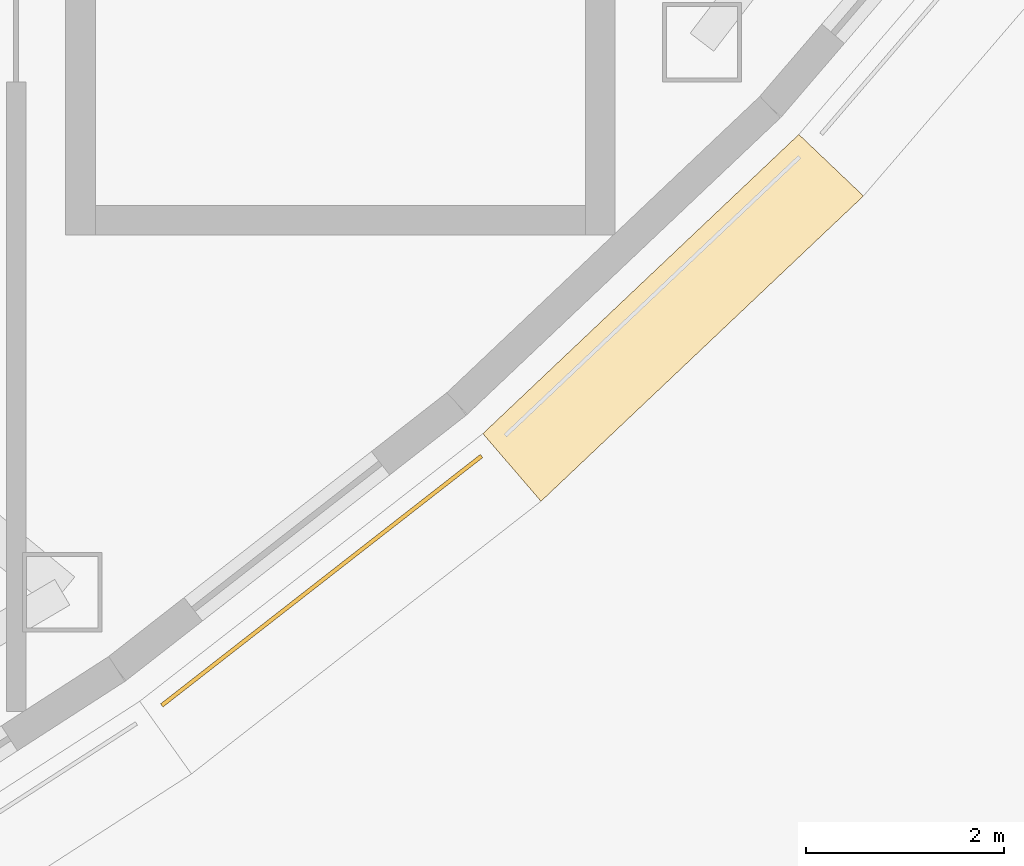
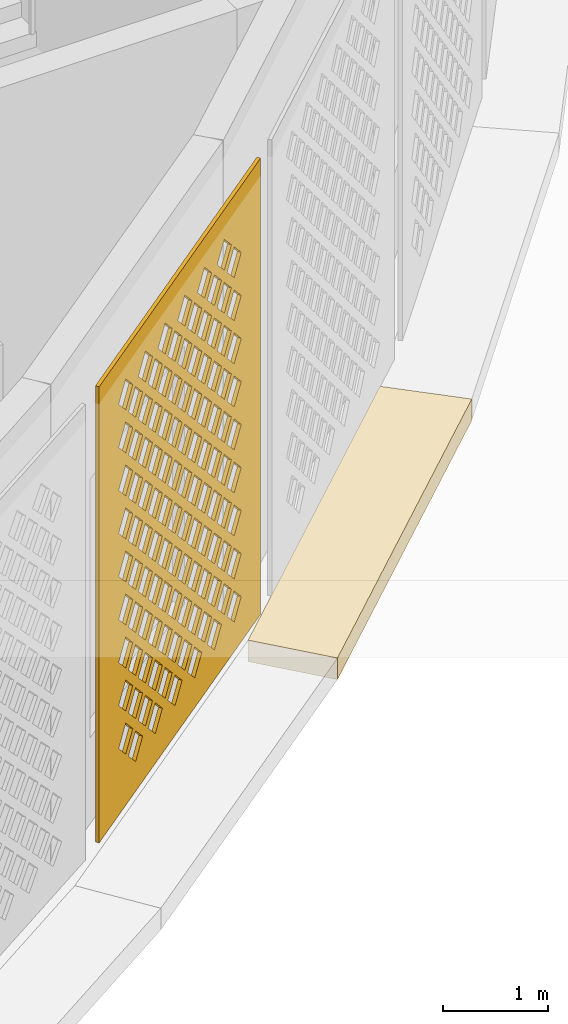
# One storey, part 68 of 74: 2 coverings.
"""IFC4 building model written with IfcOpenShell, lengths in metres."""

from ifc_helpers import new_model, si_unit, direction, frame, origin, place, context, subcontext, project, spatial, polyline, outline, extrude, material, layer, layer_set, type_object, element, save


model = new_model("IFC4")

# Units and contexts
model_context = context("Model", 3, precision=1e-05, world=origin(), true_north=direction((0.0, 1.0)))
body_context = subcontext(model_context, "Body", "Model", "MODEL_VIEW")
ifc_project = project(units=[si_unit("LENGTHUNIT", "METRE"), si_unit("AREAUNIT", "SQUARE_METRE"), si_unit("VOLUMEUNIT", "CUBIC_METRE"), si_unit("PLANEANGLEUNIT", "RADIAN"), si_unit("MASSUNIT", "GRAM", prefix="KILO")], contexts=[model_context])

# Site, building, storey
site_placement = place(None, origin())
site = spatial("IfcSite", under=ifc_project, at=site_placement, CompositionType="ELEMENT")
building_placement = place(site_placement, origin())
building = spatial("IfcBuilding", under=site, at=building_placement, Name="Noorbagh Ring Tower", CompositionType="ELEMENT")
storey_placement = place(building_placement, frame((0.0, 0.0, 7.5)))
storey = spatial("IfcBuildingStorey", under=building, at=storey_placement, Name="L01", CompositionType="ELEMENT", Elevation=7.5)

# Coverings
ifc_material_1 = material(Name="Red sandstone eave", Category="masonry")
covering_type_1 = type_object("IfcCoveringType", Name="STY-CHHAJJA", PredefinedType="USERDEFINED", material=ifc_material_1)
covering_1_placement = place(storey_placement, frame((0.0, 0.0, -0.25)))
element("IfcCovering", 1, at=covering_1_placement, inside=storey, type_object=covering_type_1, Name="Chhajja eave", ObjectType="CHHAJJA", PredefinedType="USERDEFINED", context=body_context, shape_type="SweptSolid", body=[
    extrude(outline(polyline([(38.71435546875, -26.70458984375), (41.906494140625, -23.682373046875), (42.55908203125, -24.3037109375), (39.3017578125, -27.3876953125), (38.71435546875, -26.70458984375)])), origin(), (0.0, 0.0, 1.0), 0.25),
])
ifc_material_2 = material(Name="Red sandstone jali", Category="masonry")
ifc_layer = layer(ifc_material_2, 0.0400390625)
ifc_layer_set = layer_set([ifc_layer], Name="Red sandstone jali")
covering_type_2 = type_object("IfcCoveringType", Name="STY-JALI", PredefinedType="USERDEFINED", material=ifc_layer_set)
covering_2_placement = place(storey_placement, frame((35.48291015625, -29.4658203125, 0.449951171875), z_axis=(0.614979917433, -0.788542770656, 0.0), x_axis=(0.788542770656, 0.614979917433, 0.0)))
element("IfcCovering", 2, at=covering_2_placement, inside=storey, type_object=covering_type_2, Name="Jali screen", ObjectType="SCREEN", PredefinedType="USERDEFINED", context=body_context, shape_type="SweptSolid", body=[
    extrude(outline(polyline([(0.0, 0.0), (4.09619140625, 0.0), (4.09619140625, 5.300048828125), (0.0, 5.300048828125), (0.0, 0.0)]), holes=[polyline([(0.7431640625, 0.52490234375), (0.923095703125, 0.344970703125), (1.10302734375, 0.52490234375), (0.923095703125, 0.705078125), (0.7431640625, 0.52490234375)]), polyline([(1.2431640625, 0.52490234375), (1.423095703125, 0.344970703125), (1.60302734375, 0.52490234375), (1.423095703125, 0.705078125), (1.2431640625, 0.52490234375)]), polyline([(1.7431640625, 0.52490234375), (1.923095703125, 0.344970703125), (2.10302734375, 0.52490234375), (1.923095703125, 0.705078125), (1.7431640625, 0.52490234375)]), polyline([(2.2431640625, 0.52490234375), (2.423095703125, 0.344970703125), (2.60302734375, 0.52490234375), (2.423095703125, 0.705078125), (2.2431640625, 0.52490234375)]), polyline([(2.7431640625, 0.52490234375), (2.923095703125, 0.344970703125), (3.10302734375, 0.52490234375), (2.923095703125, 0.705078125), (2.7431640625, 0.52490234375)]), polyline([(3.2431640625, 0.52490234375), (3.423095703125, 0.344970703125), (3.60302734375, 0.52490234375), (3.423095703125, 0.705078125), (3.2431640625, 0.52490234375)]), polyline([(0.4931640625, 0.77490234375), (0.673095703125, 0.594970703125), (0.85302734375, 0.77490234375), (0.673095703125, 0.955078125), (0.4931640625, 0.77490234375)]), polyline([(0.9931640625, 0.77490234375), (1.173095703125, 0.594970703125), (1.35302734375, 0.77490234375), (1.173095703125, 0.955078125), (0.9931640625, 0.77490234375)]), polyline([(1.4931640625, 0.77490234375), (1.673095703125, 0.594970703125), (1.85302734375, 0.77490234375), (1.673095703125, 0.955078125), (1.4931640625, 0.77490234375)]), polyline([(1.9931640625, 0.77490234375), (2.173095703125, 0.594970703125), (2.35302734375, 0.77490234375), (2.173095703125, 0.955078125), (1.9931640625, 0.77490234375)]), polyline([(2.4931640625, 0.77490234375), (2.673095703125, 0.594970703125), (2.85302734375, 0.77490234375), (2.673095703125, 0.955078125), (2.4931640625, 0.77490234375)]), polyline([(2.9931640625, 0.77490234375), (3.173095703125, 0.594970703125), (3.35302734375, 0.77490234375), (3.173095703125, 0.955078125), (2.9931640625, 0.77490234375)]), polyline([(0.7431640625, 1.02490234375), (0.923095703125, 0.844970703125), (1.10302734375, 1.02490234375), (0.923095703125, 1.205078125), (0.7431640625, 1.02490234375)]), polyline([(1.2431640625, 1.02490234375), (1.423095703125, 0.844970703125), (1.60302734375, 1.02490234375), (1.423095703125, 1.205078125), (1.2431640625, 1.02490234375)]), polyline([(1.7431640625, 1.02490234375), (1.923095703125, 0.844970703125), (2.10302734375, 1.02490234375), (1.923095703125, 1.205078125), (1.7431640625, 1.02490234375)]), polyline([(2.2431640625, 1.02490234375), (2.423095703125, 0.844970703125), (2.60302734375, 1.02490234375), (2.423095703125, 1.205078125), (2.2431640625, 1.02490234375)]), polyline([(2.7431640625, 1.02490234375), (2.923095703125, 0.844970703125), (3.10302734375, 1.02490234375), (2.923095703125, 1.205078125), (2.7431640625, 1.02490234375)]), polyline([(3.2431640625, 1.02490234375), (3.423095703125, 0.844970703125), (3.60302734375, 1.02490234375), (3.423095703125, 1.205078125), (3.2431640625, 1.02490234375)]), polyline([(0.4931640625, 1.27490234375), (0.673095703125, 1.094970703125), (0.85302734375, 1.27490234375), (0.673095703125, 1.455078125), (0.4931640625, 1.27490234375)]), polyline([(0.9931640625, 1.27490234375), (1.173095703125, 1.094970703125), (1.35302734375, 1.27490234375), (1.173095703125, 1.455078125), (0.9931640625, 1.27490234375)]), polyline([(1.4931640625, 1.27490234375), (1.673095703125, 1.094970703125), (1.85302734375, 1.27490234375), (1.673095703125, 1.455078125), (1.4931640625, 1.27490234375)]), polyline([(1.9931640625, 1.27490234375), (2.173095703125, 1.094970703125), (2.35302734375, 1.27490234375), (2.173095703125, 1.455078125), (1.9931640625, 1.27490234375)]), polyline([(2.4931640625, 1.27490234375), (2.673095703125, 1.094970703125), (2.85302734375, 1.27490234375), (2.673095703125, 1.455078125), (2.4931640625, 1.27490234375)]), polyline([(2.9931640625, 1.27490234375), (3.173095703125, 1.094970703125), (3.35302734375, 1.27490234375), (3.173095703125, 1.455078125), (2.9931640625, 1.27490234375)]), polyline([(0.7431640625, 1.52490234375), (0.923095703125, 1.344970703125), (1.10302734375, 1.52490234375), (0.923095703125, 1.705078125), (0.7431640625, 1.52490234375)]), polyline([(1.2431640625, 1.52490234375), (1.423095703125, 1.344970703125), (1.60302734375, 1.52490234375), (1.423095703125, 1.705078125), (1.2431640625, 1.52490234375)]), polyline([(1.7431640625, 1.52490234375), (1.923095703125, 1.344970703125), (2.10302734375, 1.52490234375), (1.923095703125, 1.705078125), (1.7431640625, 1.52490234375)]), polyline([(2.2431640625, 1.52490234375), (2.423095703125, 1.344970703125), (2.60302734375, 1.52490234375), (2.423095703125, 1.705078125), (2.2431640625, 1.52490234375)]), polyline([(2.7431640625, 1.52490234375), (2.923095703125, 1.344970703125), (3.10302734375, 1.52490234375), (2.923095703125, 1.705078125), (2.7431640625, 1.52490234375)]), polyline([(3.2431640625, 1.52490234375), (3.423095703125, 1.344970703125), (3.60302734375, 1.52490234375), (3.423095703125, 1.705078125), (3.2431640625, 1.52490234375)]), polyline([(0.4931640625, 1.77490234375), (0.673095703125, 1.594970703125), (0.85302734375, 1.77490234375), (0.673095703125, 1.955078125), (0.4931640625, 1.77490234375)]), polyline([(0.9931640625, 1.77490234375), (1.173095703125, 1.594970703125), (1.35302734375, 1.77490234375), (1.173095703125, 1.955078125), (0.9931640625, 1.77490234375)]), polyline([(1.4931640625, 1.77490234375), (1.673095703125, 1.594970703125), (1.85302734375, 1.77490234375), (1.673095703125, 1.955078125), (1.4931640625, 1.77490234375)]), polyline([(1.9931640625, 1.77490234375), (2.173095703125, 1.594970703125), (2.35302734375, 1.77490234375), (2.173095703125, 1.955078125), (1.9931640625, 1.77490234375)]), polyline([(2.4931640625, 1.77490234375), (2.673095703125, 1.594970703125), (2.85302734375, 1.77490234375), (2.673095703125, 1.955078125), (2.4931640625, 1.77490234375)]), polyline([(2.9931640625, 1.77490234375), (3.173095703125, 1.594970703125), (3.35302734375, 1.77490234375), (3.173095703125, 1.955078125), (2.9931640625, 1.77490234375)]), polyline([(0.7431640625, 2.02490234375), (0.923095703125, 1.844970703125), (1.10302734375, 2.02490234375), (0.923095703125, 2.205078125), (0.7431640625, 2.02490234375)]), polyline([(1.2431640625, 2.02490234375), (1.423095703125, 1.844970703125), (1.60302734375, 2.02490234375), (1.423095703125, 2.205078125), (1.2431640625, 2.02490234375)]), polyline([(1.7431640625, 2.02490234375), (1.923095703125, 1.844970703125), (2.10302734375, 2.02490234375), (1.923095703125, 2.205078125), (1.7431640625, 2.02490234375)]), polyline([(2.2431640625, 2.02490234375), (2.423095703125, 1.844970703125), (2.60302734375, 2.02490234375), (2.423095703125, 2.205078125), (2.2431640625, 2.02490234375)]), polyline([(2.7431640625, 2.02490234375), (2.923095703125, 1.844970703125), (3.10302734375, 2.02490234375), (2.923095703125, 2.205078125), (2.7431640625, 2.02490234375)]), polyline([(3.2431640625, 2.02490234375), (3.423095703125, 1.844970703125), (3.60302734375, 2.02490234375), (3.423095703125, 2.205078125), (3.2431640625, 2.02490234375)]), polyline([(0.4931640625, 2.27490234375), (0.673095703125, 2.094970703125), (0.85302734375, 2.27490234375), (0.673095703125, 2.455078125), (0.4931640625, 2.27490234375)]), polyline([(0.9931640625, 2.27490234375), (1.173095703125, 2.094970703125), (1.35302734375, 2.27490234375), (1.173095703125, 2.455078125), (0.9931640625, 2.27490234375)]), polyline([(1.4931640625, 2.27490234375), (1.673095703125, 2.094970703125), (1.85302734375, 2.27490234375), (1.673095703125, 2.455078125), (1.4931640625, 2.27490234375)]), polyline([(1.9931640625, 2.27490234375), (2.173095703125, 2.094970703125), (2.35302734375, 2.27490234375), (2.173095703125, 2.455078125), (1.9931640625, 2.27490234375)]), polyline([(2.4931640625, 2.27490234375), (2.673095703125, 2.094970703125), (2.85302734375, 2.27490234375), (2.673095703125, 2.455078125), (2.4931640625, 2.27490234375)]), polyline([(2.9931640625, 2.27490234375), (3.173095703125, 2.094970703125), (3.35302734375, 2.27490234375), (3.173095703125, 2.455078125), (2.9931640625, 2.27490234375)]), polyline([(0.7431640625, 2.52490234375), (0.923095703125, 2.344970703125), (1.10302734375, 2.52490234375), (0.923095703125, 2.705078125), (0.7431640625, 2.52490234375)]), polyline([(1.2431640625, 2.52490234375), (1.423095703125, 2.344970703125), (1.60302734375, 2.52490234375), (1.423095703125, 2.705078125), (1.2431640625, 2.52490234375)]), polyline([(1.7431640625, 2.52490234375), (1.923095703125, 2.344970703125), (2.10302734375, 2.52490234375), (1.923095703125, 2.705078125), (1.7431640625, 2.52490234375)]), polyline([(2.2431640625, 2.52490234375), (2.423095703125, 2.344970703125), (2.60302734375, 2.52490234375), (2.423095703125, 2.705078125), (2.2431640625, 2.52490234375)]), polyline([(2.7431640625, 2.52490234375), (2.923095703125, 2.344970703125), (3.10302734375, 2.52490234375), (2.923095703125, 2.705078125), (2.7431640625, 2.52490234375)]), polyline([(3.2431640625, 2.52490234375), (3.423095703125, 2.344970703125), (3.60302734375, 2.52490234375), (3.423095703125, 2.705078125), (3.2431640625, 2.52490234375)]), polyline([(0.4931640625, 2.77490234375), (0.673095703125, 2.594970703125), (0.85302734375, 2.77490234375), (0.673095703125, 2.955078125), (0.4931640625, 2.77490234375)]), polyline([(0.9931640625, 2.77490234375), (1.173095703125, 2.594970703125), (1.35302734375, 2.77490234375), (1.173095703125, 2.955078125), (0.9931640625, 2.77490234375)]), polyline([(1.4931640625, 2.77490234375), (1.673095703125, 2.594970703125), (1.85302734375, 2.77490234375), (1.673095703125, 2.955078125), (1.4931640625, 2.77490234375)]), polyline([(1.9931640625, 2.77490234375), (2.173095703125, 2.594970703125), (2.35302734375, 2.77490234375), (2.173095703125, 2.955078125), (1.9931640625, 2.77490234375)]), polyline([(2.4931640625, 2.77490234375), (2.673095703125, 2.594970703125), (2.85302734375, 2.77490234375), (2.673095703125, 2.955078125), (2.4931640625, 2.77490234375)]), polyline([(2.9931640625, 2.77490234375), (3.173095703125, 2.594970703125), (3.35302734375, 2.77490234375), (3.173095703125, 2.955078125), (2.9931640625, 2.77490234375)]), polyline([(0.7431640625, 3.02490234375), (0.923095703125, 2.844970703125), (1.10302734375, 3.02490234375), (0.923095703125, 3.205078125), (0.7431640625, 3.02490234375)]), polyline([(1.2431640625, 3.02490234375), (1.423095703125, 2.844970703125), (1.60302734375, 3.02490234375), (1.423095703125, 3.205078125), (1.2431640625, 3.02490234375)]), polyline([(1.7431640625, 3.02490234375), (1.923095703125, 2.844970703125), (2.10302734375, 3.02490234375), (1.923095703125, 3.205078125), (1.7431640625, 3.02490234375)]), polyline([(2.2431640625, 3.02490234375), (2.423095703125, 2.844970703125), (2.60302734375, 3.02490234375), (2.423095703125, 3.205078125), (2.2431640625, 3.02490234375)]), polyline([(2.7431640625, 3.02490234375), (2.923095703125, 2.844970703125), (3.10302734375, 3.02490234375), (2.923095703125, 3.205078125), (2.7431640625, 3.02490234375)]), polyline([(3.2431640625, 3.02490234375), (3.423095703125, 2.844970703125), (3.60302734375, 3.02490234375), (3.423095703125, 3.205078125), (3.2431640625, 3.02490234375)]), polyline([(0.4931640625, 3.27490234375), (0.673095703125, 3.094970703125), (0.85302734375, 3.27490234375), (0.673095703125, 3.455078125), (0.4931640625, 3.27490234375)]), polyline([(0.9931640625, 3.27490234375), (1.173095703125, 3.094970703125), (1.35302734375, 3.27490234375), (1.173095703125, 3.455078125), (0.9931640625, 3.27490234375)]), polyline([(1.4931640625, 3.27490234375), (1.673095703125, 3.094970703125), (1.85302734375, 3.27490234375), (1.673095703125, 3.455078125), (1.4931640625, 3.27490234375)]), polyline([(1.9931640625, 3.27490234375), (2.173095703125, 3.094970703125), (2.35302734375, 3.27490234375), (2.173095703125, 3.455078125), (1.9931640625, 3.27490234375)]), polyline([(2.4931640625, 3.27490234375), (2.673095703125, 3.094970703125), (2.85302734375, 3.27490234375), (2.673095703125, 3.455078125), (2.4931640625, 3.27490234375)]), polyline([(2.9931640625, 3.27490234375), (3.173095703125, 3.094970703125), (3.35302734375, 3.27490234375), (3.173095703125, 3.455078125), (2.9931640625, 3.27490234375)]), polyline([(0.7431640625, 3.52490234375), (0.923095703125, 3.344970703125), (1.10302734375, 3.52490234375), (0.923095703125, 3.705078125), (0.7431640625, 3.52490234375)]), polyline([(1.2431640625, 3.52490234375), (1.423095703125, 3.344970703125), (1.60302734375, 3.52490234375), (1.423095703125, 3.705078125), (1.2431640625, 3.52490234375)]), polyline([(1.7431640625, 3.52490234375), (1.923095703125, 3.344970703125), (2.10302734375, 3.52490234375), (1.923095703125, 3.705078125), (1.7431640625, 3.52490234375)]), polyline([(2.2431640625, 3.52490234375), (2.423095703125, 3.344970703125), (2.60302734375, 3.52490234375), (2.423095703125, 3.705078125), (2.2431640625, 3.52490234375)]), polyline([(2.7431640625, 3.52490234375), (2.923095703125, 3.344970703125), (3.10302734375, 3.52490234375), (2.923095703125, 3.705078125), (2.7431640625, 3.52490234375)]), polyline([(3.2431640625, 3.52490234375), (3.423095703125, 3.344970703125), (3.60302734375, 3.52490234375), (3.423095703125, 3.705078125), (3.2431640625, 3.52490234375)]), polyline([(0.4931640625, 3.77490234375), (0.673095703125, 3.594970703125), (0.85302734375, 3.77490234375), (0.673095703125, 3.955078125), (0.4931640625, 3.77490234375)]), polyline([(0.9931640625, 3.77490234375), (1.173095703125, 3.594970703125), (1.35302734375, 3.77490234375), (1.173095703125, 3.955078125), (0.9931640625, 3.77490234375)]), polyline([(1.4931640625, 3.77490234375), (1.673095703125, 3.594970703125), (1.85302734375, 3.77490234375), (1.673095703125, 3.955078125), (1.4931640625, 3.77490234375)]), polyline([(1.9931640625, 3.77490234375), (2.173095703125, 3.594970703125), (2.35302734375, 3.77490234375), (2.173095703125, 3.955078125), (1.9931640625, 3.77490234375)]), polyline([(2.4931640625, 3.77490234375), (2.673095703125, 3.594970703125), (2.85302734375, 3.77490234375), (2.673095703125, 3.955078125), (2.4931640625, 3.77490234375)]), polyline([(2.9931640625, 3.77490234375), (3.173095703125, 3.594970703125), (3.35302734375, 3.77490234375), (3.173095703125, 3.955078125), (2.9931640625, 3.77490234375)]), polyline([(0.7431640625, 4.02490234375), (0.923095703125, 3.844970703125), (1.10302734375, 4.02490234375), (0.923095703125, 4.205078125), (0.7431640625, 4.02490234375)]), polyline([(1.2431640625, 4.02490234375), (1.423095703125, 3.844970703125), (1.60302734375, 4.02490234375), (1.423095703125, 4.205078125), (1.2431640625, 4.02490234375)]), polyline([(1.7431640625, 4.02490234375), (1.923095703125, 3.844970703125), (2.10302734375, 4.02490234375), (1.923095703125, 4.205078125), (1.7431640625, 4.02490234375)]), polyline([(2.2431640625, 4.02490234375), (2.423095703125, 3.844970703125), (2.60302734375, 4.02490234375), (2.423095703125, 4.205078125), (2.2431640625, 4.02490234375)]), polyline([(2.7431640625, 4.02490234375), (2.923095703125, 3.844970703125), (3.10302734375, 4.02490234375), (2.923095703125, 4.205078125), (2.7431640625, 4.02490234375)]), polyline([(3.2431640625, 4.02490234375), (3.423095703125, 3.844970703125), (3.60302734375, 4.02490234375), (3.423095703125, 4.205078125), (3.2431640625, 4.02490234375)]), polyline([(0.4931640625, 4.27490234375), (0.673095703125, 4.094970703125), (0.85302734375, 4.27490234375), (0.673095703125, 4.455078125), (0.4931640625, 4.27490234375)]), polyline([(0.9931640625, 4.27490234375), (1.173095703125, 4.094970703125), (1.35302734375, 4.27490234375), (1.173095703125, 4.455078125), (0.9931640625, 4.27490234375)]), polyline([(1.4931640625, 4.27490234375), (1.673095703125, 4.094970703125), (1.85302734375, 4.27490234375), (1.673095703125, 4.455078125), (1.4931640625, 4.27490234375)]), polyline([(1.9931640625, 4.27490234375), (2.173095703125, 4.094970703125), (2.35302734375, 4.27490234375), (2.173095703125, 4.455078125), (1.9931640625, 4.27490234375)]), polyline([(2.4931640625, 4.27490234375), (2.673095703125, 4.094970703125), (2.85302734375, 4.27490234375), (2.673095703125, 4.455078125), (2.4931640625, 4.27490234375)]), polyline([(2.9931640625, 4.27490234375), (3.173095703125, 4.094970703125), (3.35302734375, 4.27490234375), (3.173095703125, 4.455078125), (2.9931640625, 4.27490234375)]), polyline([(0.7431640625, 4.52490234375), (0.923095703125, 4.344970703125), (1.10302734375, 4.52490234375), (0.923095703125, 4.705078125), (0.7431640625, 4.52490234375)]), polyline([(1.2431640625, 4.52490234375), (1.423095703125, 4.344970703125), (1.60302734375, 4.52490234375), (1.423095703125, 4.705078125), (1.2431640625, 4.52490234375)]), polyline([(1.7431640625, 4.52490234375), (1.923095703125, 4.344970703125), (2.10302734375, 4.52490234375), (1.923095703125, 4.705078125), (1.7431640625, 4.52490234375)]), polyline([(2.2431640625, 4.52490234375), (2.423095703125, 4.344970703125), (2.60302734375, 4.52490234375), (2.423095703125, 4.705078125), (2.2431640625, 4.52490234375)]), polyline([(2.7431640625, 4.52490234375), (2.923095703125, 4.344970703125), (3.10302734375, 4.52490234375), (2.923095703125, 4.705078125), (2.7431640625, 4.52490234375)]), polyline([(3.2431640625, 4.52490234375), (3.423095703125, 4.344970703125), (3.60302734375, 4.52490234375), (3.423095703125, 4.705078125), (3.2431640625, 4.52490234375)]), polyline([(0.4931640625, 4.77490234375), (0.673095703125, 4.594970703125), (0.85302734375, 4.77490234375), (0.673095703125, 4.955078125), (0.4931640625, 4.77490234375)]), polyline([(0.9931640625, 4.77490234375), (1.173095703125, 4.594970703125), (1.35302734375, 4.77490234375), (1.173095703125, 4.955078125), (0.9931640625, 4.77490234375)]), polyline([(1.4931640625, 4.77490234375), (1.673095703125, 4.594970703125), (1.85302734375, 4.77490234375), (1.673095703125, 4.955078125), (1.4931640625, 4.77490234375)]), polyline([(1.9931640625, 4.77490234375), (2.173095703125, 4.594970703125), (2.35302734375, 4.77490234375), (2.173095703125, 4.955078125), (1.9931640625, 4.77490234375)]), polyline([(2.4931640625, 4.77490234375), (2.673095703125, 4.594970703125), (2.85302734375, 4.77490234375), (2.673095703125, 4.955078125), (2.4931640625, 4.77490234375)]), polyline([(2.9931640625, 4.77490234375), (3.173095703125, 4.594970703125), (3.35302734375, 4.77490234375), (3.173095703125, 4.955078125), (2.9931640625, 4.77490234375)])]), origin(), (0.0, 0.0, -1.0), 0.0400390625),
])

save(model, "model.ifc")
